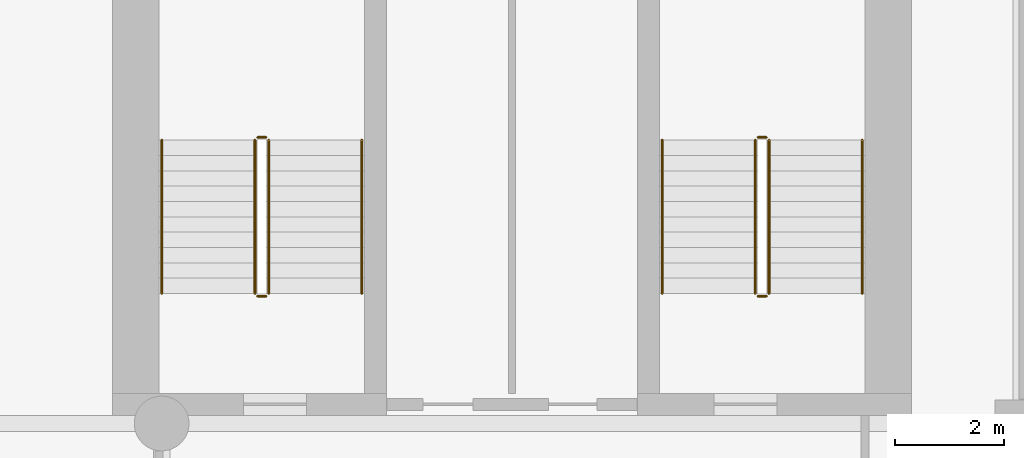
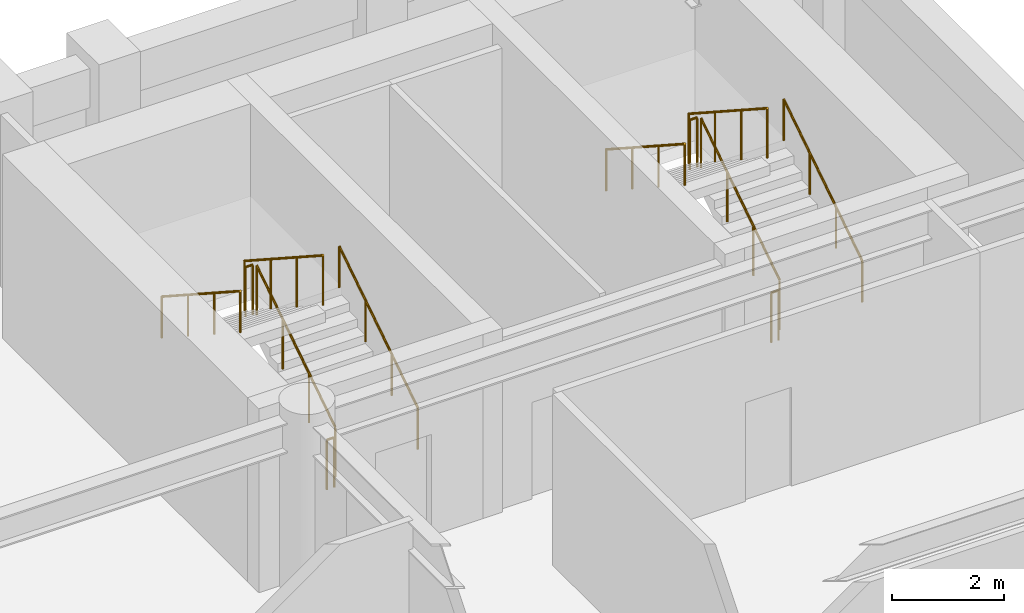
# One storey, part 8 of 8: 12 railings.
"""IFC4 building model written with IfcOpenShell, lengths in metres."""

from ifc_helpers import new_model, si_unit, direction, frame, origin, origin_2d, place, context, subcontext, project, spatial, circle, extrude, material, type_object, element, save


model = new_model("IFC4")

# Units and contexts
model_context = context("Model", 3, precision=1e-05, world=origin(), true_north=direction((0.0, 1.0)))
body_context = subcontext(model_context, "Body", "Model", "MODEL_VIEW")
ifc_project = project(units=[si_unit("LENGTHUNIT", "METRE"), si_unit("AREAUNIT", "SQUARE_METRE"), si_unit("VOLUMEUNIT", "CUBIC_METRE"), si_unit("PLANEANGLEUNIT", "RADIAN"), si_unit("MASSUNIT", "GRAM", prefix="KILO")], contexts=[model_context])

# Site, building, storey
site_placement = place(None, origin())
site = spatial("IfcSite", under=ifc_project, at=site_placement, CompositionType="ELEMENT")
building_placement = place(site_placement, origin())
building = spatial("IfcBuilding", under=site, at=building_placement, Name="Sulina Concourse Tower", CompositionType="ELEMENT")
storey_placement = place(building_placement, frame((0.0, 0.0, 100.60009765625)))
storey = spatial("IfcBuildingStorey", under=building, at=storey_placement, Name="L24", CompositionType="ELEMENT", Elevation=100.60009765625)

# Railings
ifc_material_1 = material(Name="Galvanised steel railing", Category="steel")
railing_type_1 = type_object("IfcRailingType", Name="Core Stair Steel Guardrail 1150mm", PredefinedType="GUARDRAIL", material=ifc_material_1)
railing_1_placement = place(storey_placement, frame((43.554931640625, 36.375, 0.181640625)))
element("IfcRailing", 1, at=railing_1_placement, inside=storey, type_object=railing_type_1, Name="L24 ST-3 stair guard 1", PredefinedType="GUARDRAIL", context=body_context, shape_type="SweptSolid", body=[
    extrude(circle(Radius=0.02392578125, at=origin_2d()), frame((0.0, 0.0, 1.076171875), z_axis=(0.0, 0.838672427954, 0.544636170843), x_axis=(-1.0, 0.0, 0.0)), (0.0, 0.0, 1.0), 3.338623046875),
    extrude(circle(Radius=0.02099609375, at=origin_2d()), origin(), (0.0, 0.0, 1.0), 1.052001953125),
    extrude(circle(Radius=0.02099609375, at=origin_2d()), frame((0.0, 0.933349609375, 0.606201171875)), (0.0, 0.0, 1.0), 1.052001953125),
    extrude(circle(Radius=0.02099609375, at=origin_2d()), frame((0.0, 1.86669921875, 1.212158203125)), (0.0, 0.0, 1.0), 1.052001953125),
    extrude(circle(Radius=0.02099609375, at=origin_2d()), frame((0.0, 2.800048828125, 1.818359375)), (0.0, 0.0, 1.0), 1.052001953125),
])
railing_2_placement = place(storey_placement, frame((43.5048828125, 39.22509765625, 2.0)))
element("IfcRailing", 2, at=railing_2_placement, inside=storey, type_object=railing_type_1, Name="L24 ST-3 stair guard 2", PredefinedType="GUARDRAIL", context=body_context, shape_type="SweptSolid", body=[
    extrude(circle(Radius=0.02392578125, at=origin_2d()), frame((0.0, 0.0, 1.076171875), z_axis=(-1.0, 0.0, 0.0), x_axis=(0.0, -1.0, 0.0)), (0.0, 0.0, 1.0), 0.14990234375),
    extrude(circle(Radius=0.02099609375, at=origin_2d()), origin(), (0.0, 0.0, 1.0), 1.052001953125),
    extrude(circle(Radius=0.02099609375, at=origin_2d()), frame((-0.14990234375, 0.0, 0.0)), (0.0, 0.0, 1.0), 1.052001953125),
])
railing_3_placement = place(storey_placement, frame((43.304931640625, 39.175048828125, 2.181640625)))
element("IfcRailing", 3, at=railing_3_placement, inside=storey, type_object=railing_type_1, Name="L24 ST-3 stair guard 3", PredefinedType="GUARDRAIL", context=body_context, shape_type="SweptSolid", body=[
    extrude(circle(Radius=0.02392578125, at=origin_2d()), frame((0.0, 0.0, 1.076171875), z_axis=(0.0, -0.838672427954, 0.544636170843), x_axis=(1.0, 0.0, 0.0)), (0.0, 0.0, 1.0), 3.338623046875),
    extrude(circle(Radius=0.02099609375, at=origin_2d()), origin(), (0.0, 0.0, 1.0), 1.052001953125),
    extrude(circle(Radius=0.02099609375, at=origin_2d()), frame((0.0, -0.933349609375, 0.606201171875)), (0.0, 0.0, 1.0), 1.052001953125),
    extrude(circle(Radius=0.02099609375, at=origin_2d()), frame((0.0, -1.86669921875, 1.212158203125)), (0.0, 0.0, 1.0), 1.052001953125),
    extrude(circle(Radius=0.02099609375, at=origin_2d()), frame((0.0, -2.800048828125, 1.818359375)), (0.0, 0.0, 1.0), 1.052001953125),
])
railing_4_placement = place(storey_placement, frame((43.5048828125, 36.324951171875, 0.0)))
element("IfcRailing", 4, at=railing_4_placement, inside=storey, type_object=railing_type_1, Name="L24 ST-3 stair guard 4", PredefinedType="GUARDRAIL", context=body_context, shape_type="SweptSolid", body=[
    extrude(circle(Radius=0.02392578125, at=origin_2d()), frame((0.0, 0.0, 1.076171875), z_axis=(-1.0, 0.0, 0.0), x_axis=(0.0, -1.0, 0.0)), (0.0, 0.0, 1.0), 0.14990234375),
    extrude(circle(Radius=0.02099609375, at=origin_2d()), origin(), (0.0, 0.0, 1.0), 1.052001953125),
    extrude(circle(Radius=0.02099609375, at=origin_2d()), frame((-0.14990234375, 0.0, 0.0)), (0.0, 0.0, 1.0), 1.052001953125),
])
railing_5_placement = place(storey_placement, frame((52.695068359375, 36.375, 0.181640625)))
element("IfcRailing", 5, at=railing_5_placement, inside=storey, type_object=railing_type_1, Name="L24 ST-4 stair guard 1", PredefinedType="GUARDRAIL", context=body_context, shape_type="SweptSolid", body=[
    extrude(circle(Radius=0.02392578125, at=origin_2d()), frame((0.0, 0.0, 1.076171875), z_axis=(0.0, 0.838672427954, 0.544636170843), x_axis=(-1.0, 0.0, 0.0)), (0.0, 0.0, 1.0), 3.338623046875),
    extrude(circle(Radius=0.02099609375, at=origin_2d()), origin(), (0.0, 0.0, 1.0), 1.052001953125),
    extrude(circle(Radius=0.02099609375, at=origin_2d()), frame((0.0, 0.933349609375, 0.606201171875)), (0.0, 0.0, 1.0), 1.052001953125),
    extrude(circle(Radius=0.02099609375, at=origin_2d()), frame((0.0, 1.86669921875, 1.212158203125)), (0.0, 0.0, 1.0), 1.052001953125),
    extrude(circle(Radius=0.02099609375, at=origin_2d()), frame((0.0, 2.800048828125, 1.818359375)), (0.0, 0.0, 1.0), 1.052001953125),
])
railing_6_placement = place(storey_placement, frame((52.64501953125, 39.22509765625, 2.0)))
element("IfcRailing", 6, at=railing_6_placement, inside=storey, type_object=railing_type_1, Name="L24 ST-4 stair guard 2", PredefinedType="GUARDRAIL", context=body_context, shape_type="SweptSolid", body=[
    extrude(circle(Radius=0.02392578125, at=origin_2d()), frame((0.0, 0.0, 1.076171875), z_axis=(-1.0, 0.0, 0.0), x_axis=(0.0, -1.0, 0.0)), (0.0, 0.0, 1.0), 0.14990234375),
    extrude(circle(Radius=0.02099609375, at=origin_2d()), origin(), (0.0, 0.0, 1.0), 1.052001953125),
    extrude(circle(Radius=0.02099609375, at=origin_2d()), frame((-0.14990234375, 0.0, 0.0)), (0.0, 0.0, 1.0), 1.052001953125),
])
railing_7_placement = place(storey_placement, frame((52.445068359375, 39.175048828125, 2.181640625)))
element("IfcRailing", 7, at=railing_7_placement, inside=storey, type_object=railing_type_1, Name="L24 ST-4 stair guard 3", PredefinedType="GUARDRAIL", context=body_context, shape_type="SweptSolid", body=[
    extrude(circle(Radius=0.02392578125, at=origin_2d()), frame((0.0, 0.0, 1.076171875), z_axis=(0.0, -0.838672427954, 0.544636170843), x_axis=(1.0, 0.0, 0.0)), (0.0, 0.0, 1.0), 3.338623046875),
    extrude(circle(Radius=0.02099609375, at=origin_2d()), origin(), (0.0, 0.0, 1.0), 1.052001953125),
    extrude(circle(Radius=0.02099609375, at=origin_2d()), frame((0.0, -0.933349609375, 0.606201171875)), (0.0, 0.0, 1.0), 1.052001953125),
    extrude(circle(Radius=0.02099609375, at=origin_2d()), frame((0.0, -1.86669921875, 1.212158203125)), (0.0, 0.0, 1.0), 1.052001953125),
    extrude(circle(Radius=0.02099609375, at=origin_2d()), frame((0.0, -2.800048828125, 1.818359375)), (0.0, 0.0, 1.0), 1.052001953125),
])
railing_8_placement = place(storey_placement, frame((52.64501953125, 36.324951171875, 0.0)))
element("IfcRailing", 8, at=railing_8_placement, inside=storey, type_object=railing_type_1, Name="L24 ST-4 stair guard 4", PredefinedType="GUARDRAIL", context=body_context, shape_type="SweptSolid", body=[
    extrude(circle(Radius=0.02392578125, at=origin_2d()), frame((0.0, 0.0, 1.076171875), z_axis=(-1.0, 0.0, 0.0), x_axis=(0.0, -1.0, 0.0)), (0.0, 0.0, 1.0), 0.14990234375),
    extrude(circle(Radius=0.02099609375, at=origin_2d()), origin(), (0.0, 0.0, 1.0), 1.052001953125),
    extrude(circle(Radius=0.02099609375, at=origin_2d()), frame((-0.14990234375, 0.0, 0.0)), (0.0, 0.0, 1.0), 1.052001953125),
])
ifc_material_2 = material(Name="Galvanised steel railing", Category="steel")
railing_type_2 = type_object("IfcRailingType", Name="Stair Wall Steel Handrail 920mm", PredefinedType="HANDRAIL", material=ifc_material_2)
railing_9_placement = place(storey_placement, frame((45.2548828125, 36.375, 0.181640625)))
element("IfcRailing", 9, at=railing_9_placement, inside=storey, type_object=railing_type_2, Name="L24 ST-3 stair handrail 1", PredefinedType="HANDRAIL", context=body_context, shape_type="SweptSolid", body=[
    extrude(circle(Radius=0.02392578125, at=origin_2d()), frame((0.0, 0.0, 0.89599609375), z_axis=(0.0, 0.838672427954, 0.544636170843), x_axis=(-1.0, 0.0, 0.0)), (0.0, 0.0, 1.0), 3.338623046875),
    extrude(circle(Radius=0.02099609375, at=origin_2d()), origin(), (0.0, 0.0, 1.0), 0.871826171875),
    extrude(circle(Radius=0.02099609375, at=origin_2d()), frame((0.0, 0.933349609375, 0.606201171875)), (0.0, 0.0, 1.0), 0.871826171875),
    extrude(circle(Radius=0.02099609375, at=origin_2d()), frame((0.0, 1.86669921875, 1.212158203125)), (0.0, 0.0, 1.0), 0.871826171875),
    extrude(circle(Radius=0.02099609375, at=origin_2d()), frame((0.0, 2.800048828125, 1.818359375)), (0.0, 0.0, 1.0), 0.871826171875),
])
railing_10_placement = place(storey_placement, frame((41.60498046875, 39.175048828125, 2.181640625)))
element("IfcRailing", 10, at=railing_10_placement, inside=storey, type_object=railing_type_2, Name="L24 ST-3 stair handrail 2", PredefinedType="HANDRAIL", context=body_context, shape_type="SweptSolid", body=[
    extrude(circle(Radius=0.02392578125, at=origin_2d()), frame((0.0, 0.0, 0.89599609375), z_axis=(0.0, -0.838672427954, 0.544636170843), x_axis=(1.0, 0.0, 0.0)), (0.0, 0.0, 1.0), 3.338623046875),
    extrude(circle(Radius=0.02099609375, at=origin_2d()), origin(), (0.0, 0.0, 1.0), 0.871826171875),
    extrude(circle(Radius=0.02099609375, at=origin_2d()), frame((0.0, -0.933349609375, 0.606201171875)), (0.0, 0.0, 1.0), 0.871826171875),
    extrude(circle(Radius=0.02099609375, at=origin_2d()), frame((0.0, -1.86669921875, 1.212158203125)), (0.0, 0.0, 1.0), 0.871826171875),
    extrude(circle(Radius=0.02099609375, at=origin_2d()), frame((0.0, -2.800048828125, 1.818359375)), (0.0, 0.0, 1.0), 0.871826171875),
])
railing_11_placement = place(storey_placement, frame((54.39501953125, 36.375, 0.181640625)))
element("IfcRailing", 11, at=railing_11_placement, inside=storey, type_object=railing_type_2, Name="L24 ST-4 stair handrail 1", PredefinedType="HANDRAIL", context=body_context, shape_type="SweptSolid", body=[
    extrude(circle(Radius=0.02392578125, at=origin_2d()), frame((0.0, 0.0, 0.89599609375), z_axis=(0.0, 0.838672427954, 0.544636170843), x_axis=(-1.0, 0.0, 0.0)), (0.0, 0.0, 1.0), 3.338623046875),
    extrude(circle(Radius=0.02099609375, at=origin_2d()), origin(), (0.0, 0.0, 1.0), 0.871826171875),
    extrude(circle(Radius=0.02099609375, at=origin_2d()), frame((0.0, 0.933349609375, 0.606201171875)), (0.0, 0.0, 1.0), 0.871826171875),
    extrude(circle(Radius=0.02099609375, at=origin_2d()), frame((0.0, 1.86669921875, 1.212158203125)), (0.0, 0.0, 1.0), 0.871826171875),
    extrude(circle(Radius=0.02099609375, at=origin_2d()), frame((0.0, 2.800048828125, 1.818359375)), (0.0, 0.0, 1.0), 0.871826171875),
])
railing_12_placement = place(storey_placement, frame((50.7451171875, 39.175048828125, 2.181640625)))
element("IfcRailing", 12, at=railing_12_placement, inside=storey, type_object=railing_type_2, Name="L24 ST-4 stair handrail 2", PredefinedType="HANDRAIL", context=body_context, shape_type="SweptSolid", body=[
    extrude(circle(Radius=0.02392578125, at=origin_2d()), frame((0.0, 0.0, 0.89599609375), z_axis=(0.0, -0.838672427954, 0.544636170843), x_axis=(1.0, 0.0, 0.0)), (0.0, 0.0, 1.0), 3.338623046875),
    extrude(circle(Radius=0.02099609375, at=origin_2d()), origin(), (0.0, 0.0, 1.0), 0.871826171875),
    extrude(circle(Radius=0.02099609375, at=origin_2d()), frame((0.0, -0.933349609375, 0.606201171875)), (0.0, 0.0, 1.0), 0.871826171875),
    extrude(circle(Radius=0.02099609375, at=origin_2d()), frame((0.0, -1.86669921875, 1.212158203125)), (0.0, 0.0, 1.0), 0.871826171875),
    extrude(circle(Radius=0.02099609375, at=origin_2d()), frame((0.0, -2.800048828125, 1.818359375)), (0.0, 0.0, 1.0), 0.871826171875),
])

save(model, "model.ifc")
